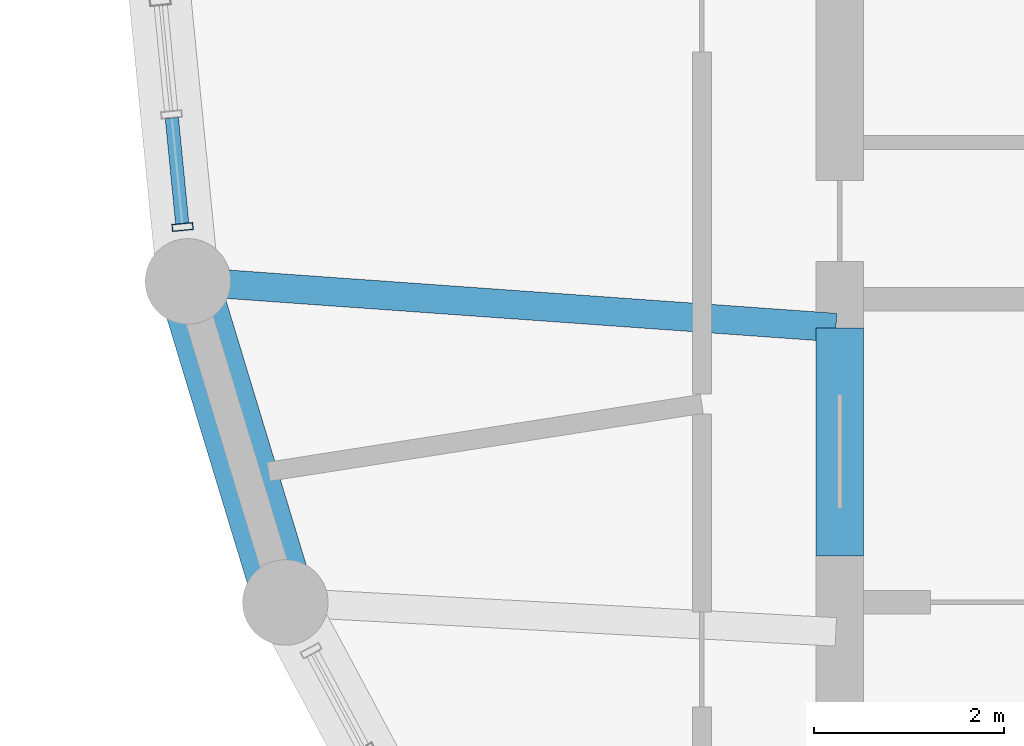
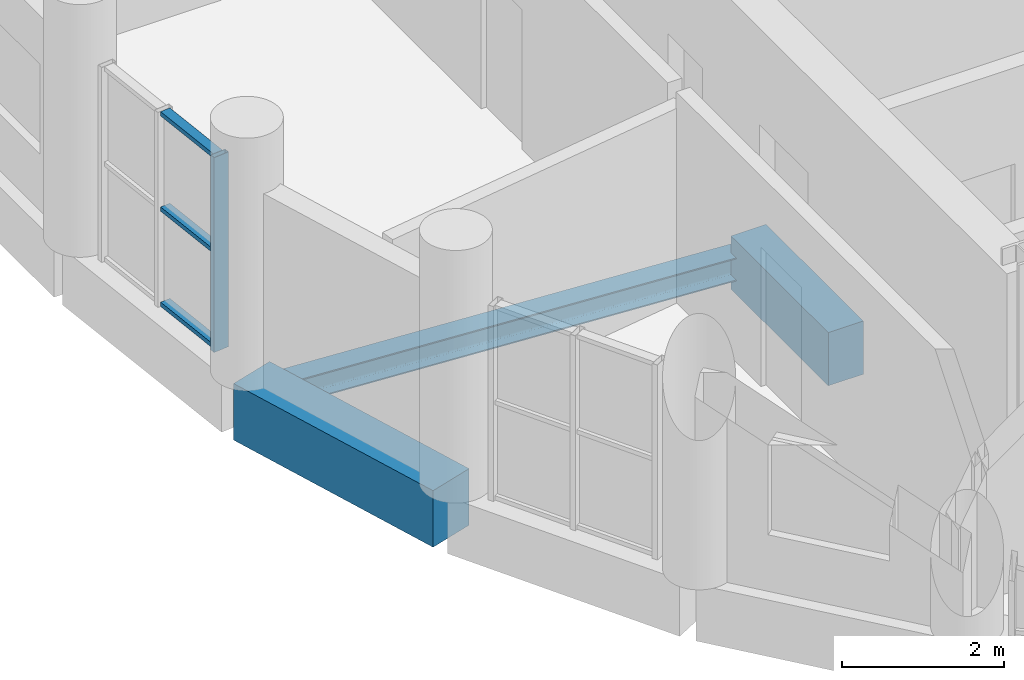
# One storey, part 3 of 15: 4 members, 3 beams, 1 element without a shape of its own.
"""IFC4 building model written with IfcOpenShell, lengths in metres."""

import ifcopenshell
import ifcopenshell.guid

model = None  # the IFC model being written
_history = None  # IfcOwnerHistory: only IFC2X3 demands one
_inside = {}  # id of a spatial element -> (the spatial element, [elements in it])
_under = {}  # id of a project, library or spatial element -> (it, [spatial elements below it])
_declared = {}  # id of a project -> (the project, [libraries it declares])
_typed = {}  # id of a type object -> (the type object, [elements of that type])
_made_of = {}  # id of a material, layer set ... -> (it, [elements and type objects made of it])


def new_model(schema):
    """Start an empty IFC model of exactly this schema.

    Asked for "IFC4X3", IfcOpenShell would pick the latest addendum, in which some entities
    have other attributes; the version numbers below select the first issue.
    IFC2X3 requires an IfcOwnerHistory on every rooted entity: one is made here for all.
    """
    global model, _history
    if schema == "IFC4X3":
        model = ifcopenshell.file(schema_version=(4, 3, 0, 0))
    else:
        model = ifcopenshell.file(schema=schema)
    _inside.clear()
    _under.clear()
    _declared.clear()
    _typed.clear()
    _made_of.clear()
    _history = None
    if model.schema == "IFC2X3":
        org = make("IfcOrganization", Name="unknown")
        user = make(
            "IfcPersonAndOrganization",
            ThePerson=make("IfcPerson", FamilyName="unknown"),
            TheOrganization=org,
        )
        app = make(
            "IfcApplication",
            ApplicationDeveloper=org,
            Version="unknown",
            ApplicationFullName="unknown",
            ApplicationIdentifier="unknown",
        )
        _history = make(
            "IfcOwnerHistory",
            OwningUser=user,
            OwningApplication=app,
            ChangeAction="ADDED",
            CreationDate=0,
        )
    return model


def make(cls, **values):
    """One entity of the class cls with the attributes given. An attribute that is None is left unset."""
    return model.create_entity(
        cls, **{name: value for name, value in values.items() if value is not None}
    )


def rooted(cls, **values):
    """An entity with a GlobalId (a new one), such as an element, a storey or a relation."""
    return make(cls, GlobalId=ifcopenshell.guid.new(), OwnerHistory=_history, **values)


def si_unit(unit_type, name, prefix=None):
    """IfcSIUnit, for example si_unit("LENGTHUNIT", "METRE", prefix="MILLI")."""
    return make("IfcSIUnit", UnitType=unit_type, Prefix=prefix, Name=name)


def assignment(units):
    """IfcUnitAssignment: the units of a project."""
    return None if units is None else make("IfcUnitAssignment", Units=units)


def point(xyz):
    """IfcCartesianPoint."""
    return None if xyz is None else make("IfcCartesianPoint", Coordinates=xyz)


def direction(xyz):
    """IfcDirection."""
    return None if xyz is None else make("IfcDirection", DirectionRatios=xyz)


def frame(location, z_axis=None, x_axis=None):
    """IfcAxis2Placement3D, a coordinate frame: its origin and axes. An axis left out is left unset."""
    return make(
        "IfcAxis2Placement3D",
        Location=point(location),
        Axis=direction(z_axis),
        RefDirection=direction(x_axis),
    )


def frame_2d(location, x_axis=None):
    """IfcAxis2Placement2D, a coordinate frame in the plane: its origin and x axis."""
    return make(
        "IfcAxis2Placement2D", Location=point(location), RefDirection=direction(x_axis)
    )


def origin():
    """The frame at (0, 0, 0) with its axes left unset."""
    return frame((0.0, 0.0, 0.0))


def origin_2d():
    """The frame at (0, 0) in the plane with its x axis left unset."""
    return frame_2d((0.0, 0.0))


def place(relative_to, where):
    """IfcLocalPlacement: puts the frame where relative to a parent placement (None: the world)."""
    return make(
        "IfcLocalPlacement", PlacementRelTo=relative_to, RelativePlacement=where
    )


def context(
    kind, dimensions, precision=None, world=None, true_north=None, identifier=None
):
    """IfcGeometricRepresentationContext, for example the 3D "Model" context."""
    return make(
        "IfcGeometricRepresentationContext",
        ContextIdentifier=identifier,
        ContextType=kind,
        CoordinateSpaceDimension=dimensions,
        Precision=precision,
        WorldCoordinateSystem=world,
        TrueNorth=true_north,
    )


def subcontext(parent, identifier, kind, view, scale=None):
    """IfcGeometricRepresentationSubContext, for example "Body" below "Model"."""
    return make(
        "IfcGeometricRepresentationSubContext",
        ContextIdentifier=identifier,
        ContextType=kind,
        ParentContext=parent,
        TargetScale=scale,
        TargetView=view,
    )


def project(units=None, contexts=None):
    """IfcProject with its units and contexts."""
    return rooted(
        "IfcProject",
        Name="project",
        RepresentationContexts=contexts,
        UnitsInContext=assignment(units),
    )


def spatial(cls, under=None, at=None, **own):
    """A site, building, storey or space (cls), placed at a placement, below another one or the project."""
    s = rooted(cls, ObjectPlacement=at, **own)
    if under is not None:
        _under.setdefault(under.id(), (under, []))[1].append(s)
    return s


def profile(cls, at=None, kind="AREA", **sizes):
    """A parametric profile (cls). Its sizes go by their IFC names, for example OverallWidth=200.0."""
    return make(cls, ProfileType=kind, Position=at, **sizes)


def rectangle(**sizes):
    """IfcRectangleProfileDef."""
    return profile("IfcRectangleProfileDef", **sizes)


def hollow_rectangle(**sizes):
    """IfcRectangleHollowProfileDef."""
    return profile("IfcRectangleHollowProfileDef", **sizes)


def i_section(**sizes):
    """IfcIShapeProfileDef."""
    return profile("IfcIShapeProfileDef", **sizes)


def extrude(swept, where, along, depth):
    """IfcExtrudedAreaSolid: the profile swept, set in the frame where, extruded along a direction by depth."""
    return make(
        "IfcExtrudedAreaSolid",
        SweptArea=swept,
        Position=where,
        ExtrudedDirection=direction(along),
        Depth=depth,
    )


def shape(context_of_items, identifier, shape_type, items):
    """IfcShapeRepresentation: the items that make up one representation, for example the "Body"."""
    return make(
        "IfcShapeRepresentation",
        ContextOfItems=context_of_items,
        RepresentationIdentifier=identifier,
        RepresentationType=shape_type,
        Items=items,
    )


def material(Name=None, Category=None):
    """IfcMaterial."""
    return make("IfcMaterial", Name=Name, Category=Category)


def layer(
    of_material, thickness, ventilated=None, Name=None, Category=None, Priority=None
):
    """IfcMaterialLayer: one layer of a wall or slab, of a material (None: an air gap)."""
    return make(
        "IfcMaterialLayer",
        Material=of_material,
        LayerThickness=thickness,
        IsVentilated=ventilated,
        Name=Name,
        Category=Category,
        Priority=Priority,
    )


def layer_set(layers, Name=None):
    """IfcMaterialLayerSet."""
    return make("IfcMaterialLayerSet", MaterialLayers=layers, LayerSetName=Name)


def material_profile(
    of_material, cross_section, Name=None, Category=None, Priority=None
):
    """IfcMaterialProfile: a cross section and its material."""
    return make(
        "IfcMaterialProfile",
        Name=Name,
        Material=of_material,
        Profile=cross_section,
        Priority=Priority,
        Category=Category,
    )


def profile_set(profiles, Name=None, composite=None):
    """IfcMaterialProfileSet."""
    return make(
        "IfcMaterialProfileSet",
        Name=Name,
        MaterialProfiles=profiles,
        CompositeProfile=composite,
    )


def made_of(thing, what):
    """Note that an element or type object is made of a material, layer set ...; save() writes the relation."""
    if what is not None:
        _made_of.setdefault(what.id(), (what, []))[1].append(thing)
    return thing


def type_object(cls, material=None, **own):
    """A type object (cls), such as IfcWallType, which elements share."""
    return made_of(rooted(cls, **own), material)


def element(
    cls,
    number,
    at=None,
    inside=None,
    cuts=None,
    type_object=None,
    material=None,
    context=None,
    identifier="Body",
    shape_type=None,
    held_by="IfcProductDefinitionShape",
    body=None,
    shapes=None,
    **own,
):
    """One element of the class cls, such as IfcWall. Its Tag is "e" and its number.

    at: its placement. inside: the storey or other place that contains it. cuts: it is an
    opening in that element (IfcRelVoidsElement). A single representation is given by context,
    identifier, shape_type and body (its items); several are given by shapes. held_by: the class
    of the entity that holds the representations. save() writes the other relations.
    """
    e = rooted(cls, Tag="e%d" % number, ObjectPlacement=at, **own)
    if body is not None:
        shapes = [shape(context, identifier, shape_type, body)]
    if shapes is not None:
        e.Representation = make(held_by, Representations=shapes)
    if inside is not None:
        _inside.setdefault(inside.id(), (inside, []))[1].append(e)
    if cuts is not None:
        rooted(
            "IfcRelVoidsElement", RelatingBuildingElement=cuts, RelatedOpeningElement=e
        )
    if type_object is not None:
        _typed.setdefault(type_object.id(), (type_object, []))[1].append(e)
    return made_of(e, material)


def aggregate(whole, parts):
    """IfcRelAggregates: a whole, such as a stair, and the parts it consists of."""
    return rooted("IfcRelAggregates", RelatingObject=whole, RelatedObjects=parts)


def save(model, path):
    """Write the relations noted so far, then the file.

    IfcRelAggregates (storeys below a building ...), IfcRelContainedInSpatialStructure (elements
    in a storey), IfcRelDefinesByType, IfcRelAssociatesMaterial and IfcRelDeclares: one each for
    every whole, place, type object, material and project.
    """
    for whole, parts in _under.values():
        aggregate(whole, parts)
    for where, things in _inside.values():
        rooted(
            "IfcRelContainedInSpatialStructure",
            RelatedElements=things,
            RelatingStructure=where,
        )
    for kind, things in _typed.values():
        rooted("IfcRelDefinesByType", RelatedObjects=things, RelatingType=kind)
    for what, things in _made_of.values():
        rooted("IfcRelAssociatesMaterial", RelatedObjects=things, RelatingMaterial=what)
    for by, libraries in _declared.values():
        rooted("IfcRelDeclares", RelatingContext=by, RelatedDefinitions=libraries)
    model.write(path)


model = new_model("IFC4")

# Units and contexts
model_context = context("Model", 3, precision=1e-05, world=origin(), true_north=direction((0.0, 1.0)))
body_context = subcontext(model_context, "Body", "Model", "MODEL_VIEW")
ifc_project = project(units=[si_unit("LENGTHUNIT", "METRE"), si_unit("AREAUNIT", "SQUARE_METRE"), si_unit("VOLUMEUNIT", "CUBIC_METRE"), si_unit("PLANEANGLEUNIT", "RADIAN"), si_unit("MASSUNIT", "GRAM", prefix="KILO")], contexts=[model_context])

# Site, building, storey
site_placement = place(None, origin())
site = spatial("IfcSite", under=ifc_project, at=site_placement, CompositionType="ELEMENT")
building_placement = place(site_placement, origin())
building = spatial("IfcBuilding", under=site, at=building_placement, Name="Solnavia Interchange Tower", CompositionType="ELEMENT")
storey_placement = place(building_placement, frame((0.0, 0.0, 146.60009765625)))
storey = spatial("IfcBuildingStorey", under=building, at=storey_placement, Name="L36", CompositionType="ELEMENT", Elevation=146.60009765625)

# Beams
ifc_material_1 = material(Name="Concrete C50/60", Category="concrete")
ifc_material_profile_1 = material_profile(ifc_material_1, rectangle(XDim=0.5, YDim=0.800048828125, at=origin_2d()), Name="RC 500x800")
ifc_profile_set_1 = profile_set([ifc_material_profile_1], Name="Concrete C50/60")
beam_type_1 = type_object("IfcBeamType", Name="Beam-Coupling-RC500x800", PredefinedType="LINTEL", material=ifc_profile_set_1)
beam_1_placement = place(storey_placement, frame((14.39990234375, 15.199951171875, -0.400146484375), z_axis=(0.0, 1.0, 0.0), x_axis=(-1.0, 0.0, 0.0)))
element("IfcBeam", 1, at=beam_1_placement, inside=storey, type_object=beam_type_1, Name="CPB-L36-W1 Core coupling lintel beam", PredefinedType="LINTEL", context=body_context, shape_type="SweptSolid", body=[
    extrude(rectangle(XDim=0.5, YDim=0.800048828125, at=origin_2d()), origin(), (0.0, 0.0, 1.0), 2.400146484375),
])
ifc_material_2 = material(Name="Steel S355", Category="steel")
ifc_material_profile_2 = material_profile(ifc_material_2, i_section(OverallWidth=0.300048828125, OverallDepth=0.35009765625, WebThickness=0.010009765625, FlangeThickness=0.017578125, FilletRadius=0.027099609375, at=origin_2d()), Name="HEA 360")
ifc_profile_set_2 = profile_set([ifc_material_profile_2], Name="Steel S355")
beam_type_2 = type_object("IfcBeamType", Name="Beam-Primary-HEA360", PredefinedType="BEAM", material=ifc_profile_set_2)
beam_2_placement = place(storey_placement, frame((7.625732421875, 18.082275390625, -0.425048828125), z_axis=(0.99747482749, -0.071020902015, 0.0), x_axis=(0.071020902015, 0.99747482749, 0.0)))
element("IfcBeam", 2, at=beam_2_placement, inside=storey, type_object=beam_type_2, Name="GRD-L36-DR14 Drum radial floor girder", PredefinedType="BEAM", context=body_context, shape_type="SweptSolid", body=[
    extrude(i_section(OverallWidth=0.300048828125, OverallDepth=0.35009765625, WebThickness=0.010009765625, FlangeThickness=0.017578125, FilletRadius=0.027099609375, at=origin_2d()), origin(), (0.0, 0.0, 1.0), 6.75146484375),
])
ifc_material_profile_3 = material_profile(ifc_material_1, rectangle(XDim=0.64990234375, YDim=0.85009765625, at=origin_2d()), Name="RC 650x850")
ifc_profile_set_3 = profile_set([ifc_material_profile_3], Name="Concrete C50/60")
beam_type_3 = type_object("IfcBeamType", Name="Beam-Spandrel-RC650x850", PredefinedType="SPANDREL", material=ifc_profile_set_3)
beam_3_placement = place(storey_placement, frame((7.569091796875, 18.011474609375, -0.425048828125), z_axis=(0.290319223646, -0.956929855518, 0.0), x_axis=(0.956929855518, 0.290319223646, 0.0)))
element("IfcBeam", 3, at=beam_3_placement, inside=storey, type_object=beam_type_3, Name="SPB-L36-02 Framed-tube perimeter spandrel beam", PredefinedType="SPANDREL", context=body_context, shape_type="SweptSolid", body=[
    extrude(rectangle(XDim=0.64990234375, YDim=0.85009765625, at=origin_2d()), origin(), (0.0, 0.0, 1.0), 3.367919921875),
])

# Curtain wall, members
ifc_material_3 = material(Name="Aluminium Alloy 6063-T6", Category="aluminium")
ifc_layer = layer(ifc_material_3, 0.239990234375)
ifc_layer_set = layer_set([ifc_layer], Name="Aluminium Alloy 6063-T6")
curtain_wall_type = type_object("IfcCurtainWallType", Name="CurtainWall-Drum-CTW2", PredefinedType="NOTDEFINED", material=ifc_layer_set)
curtain_wall_placement = place(storey_placement, origin())
curtain_wall = element("IfcCurtainWall", 4, at=curtain_wall_placement, inside=storey, type_object=curtain_wall_type, Name="CTW-L36-D51 CTW-2 curtain wall", PredefinedType="NOTDEFINED")
ifc_material_profile_4 = material_profile(ifc_material_3, hollow_rectangle(XDim=0.074951171875, YDim=0.219970703125, WallThickness=0.0048828125, at=origin_2d()), Name="ALU 220x75x5")
ifc_profile_set_4 = profile_set([ifc_material_profile_4], Name="Aluminium Alloy 6063-T6")
member_type_1 = type_object("IfcMemberType", Name="CW-Mullion-CWM-2", PredefinedType="MULLION", material=ifc_profile_set_4)
member_1_placement = place(storey_placement, frame((7.489501953125, 18.66015625, 0.0), z_axis=(0.0, 0.0, 1.0), x_axis=(0.098043088306, -0.995182170678, 0.0)))
member_1 = element("IfcMember", 5, at=member_1_placement, type_object=member_type_1, Name="CTW-2 mullion 3", PredefinedType="MULLION", context=body_context, shape_type="SweptSolid", body=[
    extrude(hollow_rectangle(XDim=0.074951171875, YDim=0.219970703125, WallThickness=0.0048828125, at=origin_2d()), origin(), (0.0, 0.0, 1.0), 2.929931640625),
])
ifc_material_profile_5 = material_profile(ifc_material_3, hollow_rectangle(XDim=0.06494140625, YDim=0.139892578125, WallThickness=0.00390625, at=origin_2d()), Name="ALU 140x65x4")
ifc_profile_set_5 = profile_set([ifc_material_profile_5], Name="Aluminium Alloy 6063-T6")
member_type_2 = type_object("IfcMemberType", Name="CW-Transom-CWT-2", PredefinedType="USERDEFINED", material=ifc_profile_set_5)
member_2_placement = place(storey_placement, frame((7.376708984375, 19.806640625, 0.032470703125), z_axis=(0.097920280653, -0.995194261758, 0.0), x_axis=(0.0, 0.0, 1.0)))
member_2 = element("IfcMember", 6, at=member_2_placement, type_object=member_type_2, Name="CTW-2 transom 2.1", ObjectType="TRANSOM", PredefinedType="USERDEFINED", context=body_context, shape_type="SweptSolid", body=[
    extrude(hollow_rectangle(XDim=0.06494140625, YDim=0.139892578125, WallThickness=0.00390625, at=origin_2d()), origin(), (0.0, 0.0, 1.0), 1.114501953125),
])
member_3_placement = place(storey_placement, frame((7.376708984375, 19.806640625, 1.46484375), z_axis=(0.097920280653, -0.995194261758, 0.0), x_axis=(0.0, 0.0, 1.0)))
member_3 = element("IfcMember", 7, at=member_3_placement, type_object=member_type_2, Name="CTW-2 transom 2.2", ObjectType="TRANSOM", PredefinedType="USERDEFINED", context=body_context, shape_type="SweptSolid", body=[
    extrude(hollow_rectangle(XDim=0.06494140625, YDim=0.139892578125, WallThickness=0.00390625, at=origin_2d()), origin(), (0.0, 0.0, 1.0), 1.114501953125),
])
member_4_placement = place(storey_placement, frame((7.376708984375, 19.806640625, 2.8974609375), z_axis=(0.097920280653, -0.995194261758, 0.0), x_axis=(0.0, 0.0, 1.0)))
member_4 = element("IfcMember", 8, at=member_4_placement, type_object=member_type_2, Name="CTW-2 transom 2.3", ObjectType="TRANSOM", PredefinedType="USERDEFINED", context=body_context, shape_type="SweptSolid", body=[
    extrude(hollow_rectangle(XDim=0.06494140625, YDim=0.139892578125, WallThickness=0.00390625, at=origin_2d()), origin(), (0.0, 0.0, 1.0), 1.114501953125),
])
aggregate(curtain_wall, [member_1, member_2, member_3, member_4])

save(model, "model.ifc")
